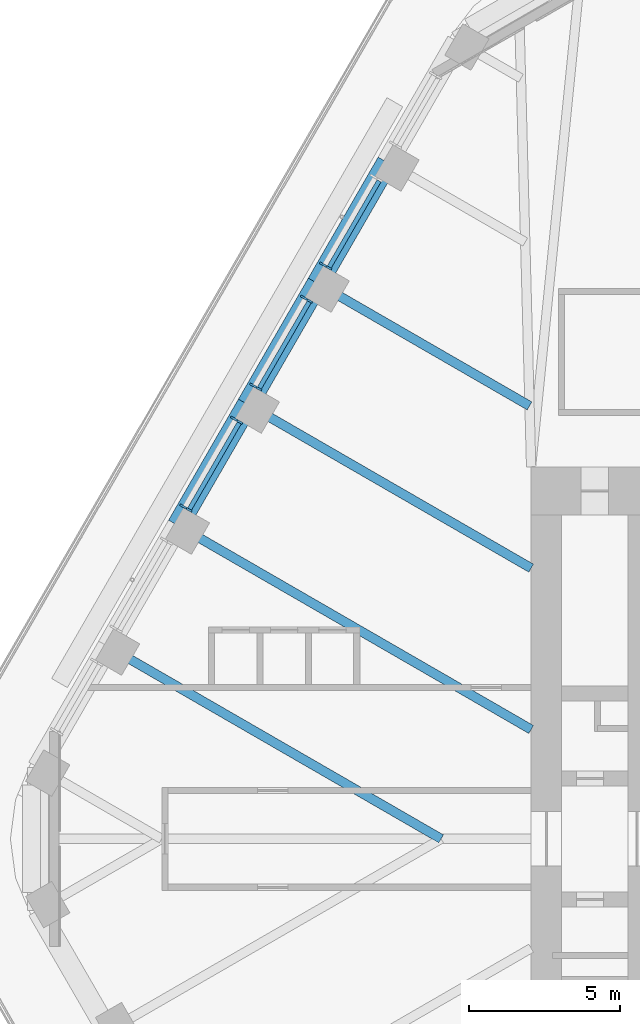
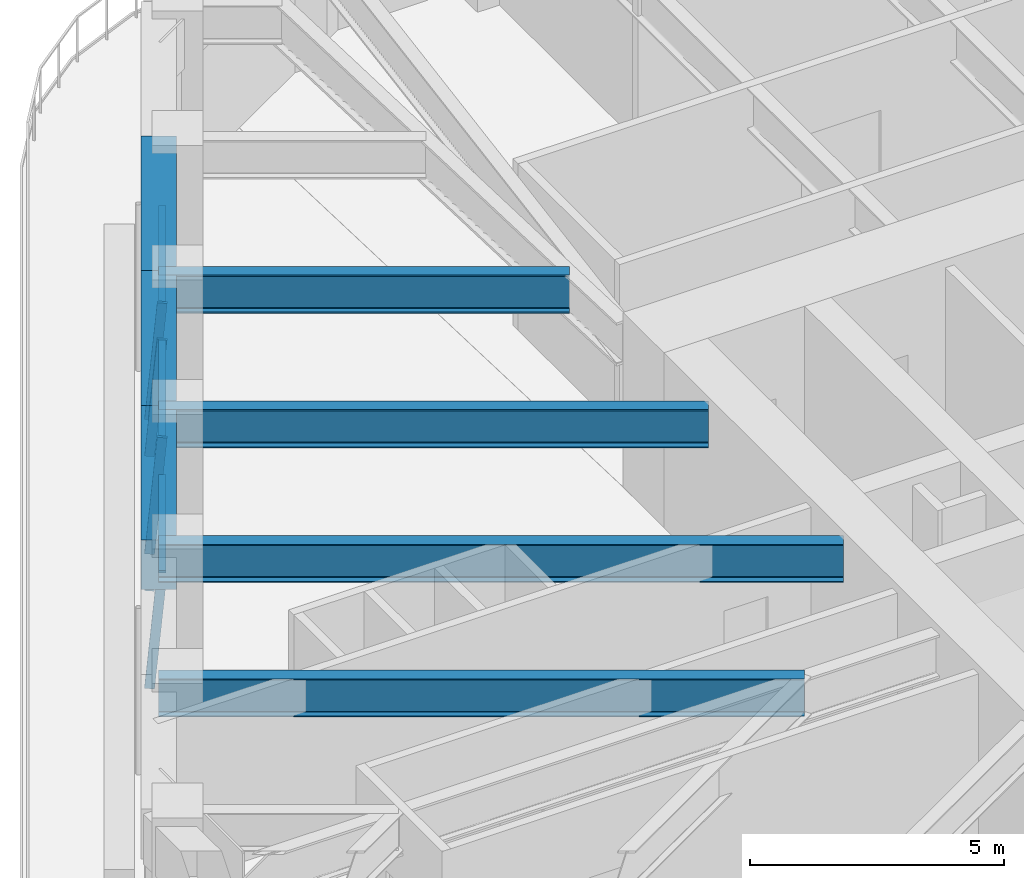
# One storey, part 7 of 20: 8 members, 7 beams, 3 elements without a shape of their own.
"""IFC4 building model written with IfcOpenShell, lengths in metres."""

from ifc_helpers import new_model, si_unit, direction, frame, origin, origin_2d, place, context, subcontext, project, spatial, rectangle, i_section, extrude, material, material_profile, profile_set, type_object, element, aggregate, save


model = new_model("IFC4")

# Units and contexts
model_context = context("Model", 3, precision=1e-05, world=origin(), true_north=direction((0.0, 1.0)))
body_context = subcontext(model_context, "Body", "Model", "MODEL_VIEW")
ifc_project = project(units=[si_unit("LENGTHUNIT", "METRE"), si_unit("AREAUNIT", "SQUARE_METRE"), si_unit("VOLUMEUNIT", "CUBIC_METRE"), si_unit("PLANEANGLEUNIT", "RADIAN"), si_unit("MASSUNIT", "GRAM", prefix="KILO")], contexts=[model_context])

# Site, building, storey
site_placement = place(None, origin())
site = spatial("IfcSite", under=ifc_project, at=site_placement, CompositionType="ELEMENT")
building_placement = place(site_placement, origin())
building = spatial("IfcBuilding", under=site, at=building_placement, Name="Tarfa Lantern Tower", CompositionType="ELEMENT")
storey_placement = place(building_placement, frame((0.0, 0.0, 274.300048828125)))
storey = spatial("IfcBuildingStorey", under=building, at=storey_placement, Name="L62", CompositionType="ELEMENT", Elevation=274.300048828125)

# Curtain wall, member
ifc_material_1 = material(Name="Aluminium framed curtain wall", Category="aluminium")
curtain_wall_type = type_object("IfcCurtainWallType", Name="CW3 CANTED GLAZING HIGH ZONE 2800", PredefinedType="USERDEFINED", material=ifc_material_1)
curtain_wall_1_placement = place(storey_placement, origin())
curtain_wall_1 = element("IfcCurtainWall", 1, at=curtain_wall_1_placement, inside=storey, type_object=curtain_wall_type, Name="CW3 NW L62", ObjectType="CURTAIN WALL", PredefinedType="USERDEFINED")
ifc_material_2 = material(Name="Aluminium mullion", Category="aluminium")
ifc_material_profile_1 = material_profile(ifc_material_2, rectangle(XDim=0.06494140625, YDim=0.199951171875, at=origin_2d()), Name="AL MULLION 65x200")
ifc_profile_set_1 = profile_set([ifc_material_profile_1], Name="Aluminium mullion")
member_type_1 = type_object("IfcMemberType", Name="CWM1 MULLION 65x200", PredefinedType="MULLION", material=ifc_profile_set_1)
member_1_placement = place(storey_placement, frame((-22.402587890625, 18.997802734375, 0.0), z_axis=(0.077032386753, -0.044465143199, 0.996036576854), x_axis=(0.499919672301, 0.866071776036, 0.0)))
member_1 = element("IfcMember", 2, at=member_1_placement, type_object=member_type_1, Name="CW3 mullion 2", PredefinedType="MULLION", context=body_context, shape_type="SweptSolid", body=[
    extrude(rectangle(XDim=0.06494140625, YDim=0.199951171875, at=origin_2d()), origin(), (0.0, 0.0, 1.0), 2.811279296875),
])

# Curtain wall, members
curtain_wall_2_placement = place(storey_placement, origin())
curtain_wall_2 = element("IfcCurtainWall", 3, at=curtain_wall_2_placement, inside=storey, type_object=curtain_wall_type, Name="CW3 NW L62", ObjectType="CURTAIN WALL", PredefinedType="USERDEFINED")
member_2_placement = place(storey_placement, frame((-23.034912109375, 17.90234375, 0.0), z_axis=(0.077032386753, -0.044465143199, 0.996036576854), x_axis=(0.499919672301, 0.866071776036, 0.0)))
member_2 = element("IfcMember", 4, at=member_2_placement, type_object=member_type_1, Name="CW3 mullion 1", PredefinedType="MULLION", context=body_context, shape_type="SweptSolid", body=[
    extrude(rectangle(XDim=0.06494140625, YDim=0.199951171875, at=origin_2d()), origin(), (0.0, 0.0, 1.0), 2.811279296875),
])
member_3_placement = place(storey_placement, frame((-24.7119140625, 14.997802734375, 0.0), z_axis=(0.077032386753, -0.044465143199, 0.996036576854), x_axis=(0.499919672301, 0.866071776036, 0.0)))
member_3 = element("IfcMember", 5, at=member_3_placement, type_object=member_type_1, Name="CW3 mullion 2", PredefinedType="MULLION", context=body_context, shape_type="SweptSolid", body=[
    extrude(rectangle(XDim=0.06494140625, YDim=0.199951171875, at=origin_2d()), origin(), (0.0, 0.0, 1.0), 2.811279296875),
])

curtain_wall_3_placement = place(storey_placement, origin())
curtain_wall_3 = element("IfcCurtainWall", 6, at=curtain_wall_3_placement, inside=storey, type_object=curtain_wall_type, Name="CW3 NW L62", ObjectType="CURTAIN WALL", PredefinedType="USERDEFINED")
member_4_placement = place(storey_placement, frame((-25.344482421875, 13.90234375, 0.0), z_axis=(0.077032386753, -0.044465143199, 0.996036576854), x_axis=(0.499919672301, 0.866071776036, 0.0)))
member_4 = element("IfcMember", 7, at=member_4_placement, type_object=member_type_1, Name="CW3 mullion 1", PredefinedType="MULLION", context=body_context, shape_type="SweptSolid", body=[
    extrude(rectangle(XDim=0.06494140625, YDim=0.199951171875, at=origin_2d()), origin(), (0.0, 0.0, 1.0), 2.811279296875),
])
member_5_placement = place(storey_placement, frame((-27.021240234375, 10.997802734375, 0.0), z_axis=(0.077032386753, -0.044465143199, 0.996036576854), x_axis=(0.499919672301, 0.866071776036, 0.0)))
member_5 = element("IfcMember", 8, at=member_5_placement, type_object=member_type_1, Name="CW3 mullion 2", PredefinedType="MULLION", context=body_context, shape_type="SweptSolid", body=[
    extrude(rectangle(XDim=0.06494140625, YDim=0.199951171875, at=origin_2d()), origin(), (0.0, 0.0, 1.0), 2.811279296875),
])

# Member
ifc_material_3 = material(Name="Aluminium transom", Category="aluminium")
ifc_material_profile_2 = material_profile(ifc_material_3, rectangle(XDim=0.14990234375, YDim=0.06494140625, at=origin_2d()), Name="AL TRANSOM 150x65")
ifc_profile_set_2 = profile_set([ifc_material_profile_2], Name="Aluminium transom")
member_type_2 = type_object("IfcMemberType", Name="CWT1 TRANSOM 150x65", PredefinedType="USERDEFINED", material=ifc_profile_set_2)
member_6_placement = place(storey_placement, frame((-20.52783203125, 21.75048828125, 2.767333984375), z_axis=(-0.499979497339, -0.866037240677, 0.0), x_axis=(0.866037240677, -0.499979497339, 0.0)))
member_6 = element("IfcMember", 9, at=member_6_placement, type_object=member_type_2, Name="CW3 transom 1.2", ObjectType="TRANSOM", PredefinedType="USERDEFINED", context=body_context, shape_type="SweptSolid", body=[
    extrude(rectangle(XDim=0.14990234375, YDim=0.06494140625, at=origin_2d()), origin(), (0.0, 0.0, 1.0), 3.288818359375),
])

aggregate(curtain_wall_1, [member_1, member_6])

member_7_placement = place(storey_placement, frame((-22.837158203125, 17.75048828125, 2.767333984375), z_axis=(-0.500035172766, -0.866005095826, 0.0), x_axis=(0.866005095826, -0.500035172766, 0.0)))
member_7 = element("IfcMember", 10, at=member_7_placement, type_object=member_type_2, Name="CW3 transom 1.2", ObjectType="TRANSOM", PredefinedType="USERDEFINED", context=body_context, shape_type="SweptSolid", body=[
    extrude(rectangle(XDim=0.14990234375, YDim=0.06494140625, at=origin_2d()), origin(), (0.0, 0.0, 1.0), 3.288818359375),
])

aggregate(curtain_wall_2, [member_2, member_3, member_7])

member_8_placement = place(storey_placement, frame((-25.146728515625, 13.75048828125, 2.767333984375), z_axis=(-0.499979497339, -0.866037240677, 0.0), x_axis=(0.866037240677, -0.499979497339, 0.0)))
member_8 = element("IfcMember", 11, at=member_8_placement, type_object=member_type_2, Name="CW3 transom 1.2", ObjectType="TRANSOM", PredefinedType="USERDEFINED", context=body_context, shape_type="SweptSolid", body=[
    extrude(rectangle(XDim=0.14990234375, YDim=0.06494140625, at=origin_2d()), origin(), (0.0, 0.0, 1.0), 3.288818359375),
])

aggregate(curtain_wall_3, [member_4, member_5, member_8])

# Beams
ifc_material_4 = material(Name="Concrete C80/95", Category="concrete")
ifc_material_profile_3 = material_profile(ifc_material_4, rectangle(XDim=0.699951171875, YDim=1.199951171875, at=origin_2d()), Name="RC 700x1200")
ifc_profile_set_3 = profile_set([ifc_material_profile_3], Name="Concrete C80/95")
beam_type_1 = type_object("IfcBeamType", Name="EB3 RC 700x1200", PredefinedType="SPANDREL", material=ifc_profile_set_3)
beam_1_placement = place(storey_placement, frame((-20.25341796875, 22.360107421875, 3.39990234375), z_axis=(-0.499987836815, -0.866032426089, 0.0), x_axis=(0.866032426089, -0.499987836815, 0.0)))
element("IfcBeam", 12, at=beam_1_placement, inside=storey, type_object=beam_type_1, Name="Edge beam NW1", PredefinedType="SPANDREL", context=body_context, shape_type="SweptSolid", body=[
    extrude(rectangle(XDim=0.699951171875, YDim=1.199951171875, at=origin_2d()), origin(), (0.0, 0.0, 1.0), 4.61865234375),
])
beam_2_placement = place(storey_placement, frame((-22.562744140625, 18.360107421875, 3.39990234375), z_axis=(-0.500027479704, -0.866009537788, 0.0), x_axis=(0.866009537788, -0.500027479704, 0.0)))
element("IfcBeam", 13, at=beam_2_placement, inside=storey, type_object=beam_type_1, Name="Edge beam NW2", PredefinedType="SPANDREL", context=body_context, shape_type="SweptSolid", body=[
    extrude(rectangle(XDim=0.699951171875, YDim=1.199951171875, at=origin_2d()), origin(), (0.0, 0.0, 1.0), 4.618896484375),
])
beam_3_placement = place(storey_placement, frame((-24.872314453125, 14.360107421875, 3.39990234375), z_axis=(-0.499987836815, -0.866032426089, 0.0), x_axis=(0.866032426089, -0.499987836815, 0.0)))
element("IfcBeam", 14, at=beam_3_placement, inside=storey, type_object=beam_type_1, Name="Edge beam NW3", PredefinedType="SPANDREL", context=body_context, shape_type="SweptSolid", body=[
    extrude(rectangle(XDim=0.699951171875, YDim=1.199951171875, at=origin_2d()), origin(), (0.0, 0.0, 1.0), 4.61865234375),
])
ifc_material_5 = material(Name="Steel S460M", Category="steel")
ifc_material_profile_4 = material_profile(ifc_material_5, i_section(OverallWidth=0.305419921875, OverallDepth=0.91845703125, WebThickness=0.017333984375, FlangeThickness=0.02783203125, FilletRadius=0.01904296875, at=origin_2d()), Name="UB914x305x253")
ifc_profile_set_4 = profile_set([ifc_material_profile_4], Name="Steel S460M")
beam_type_2 = type_object("IfcBeamType", Name="UB914x305x253", PredefinedType="BEAM", material=ifc_profile_set_4)
beam_4_placement = place(storey_placement, frame((-22.562744140625, 18.360107421875, 3.540771484375), z_axis=(0.866010787764, -0.500025314835, 0.0), x_axis=(0.500025314835, 0.866010787764, 0.0)))
element("IfcBeam", 15, at=beam_4_placement, inside=storey, type_object=beam_type_2, Name="Floor beam NW2", PredefinedType="BEAM", context=body_context, shape_type="SweptSolid", body=[
    extrude(i_section(OverallWidth=0.305419921875, OverallDepth=0.91845703125, WebThickness=0.017333984375, FlangeThickness=0.02783203125, FilletRadius=0.01904296875, at=origin_2d()), origin(), (0.0, 0.0, 1.0), 8.09423828125),
])
beam_5_placement = place(storey_placement, frame((-24.872314453125, 14.360107421875, 3.540771484375), z_axis=(0.8660244219, -0.500001700669, 0.0), x_axis=(0.500001700669, 0.8660244219, 0.0)))
element("IfcBeam", 16, at=beam_5_placement, inside=storey, type_object=beam_type_2, Name="Floor beam NW3", PredefinedType="BEAM", context=body_context, shape_type="SweptSolid", body=[
    extrude(i_section(OverallWidth=0.305419921875, OverallDepth=0.91845703125, WebThickness=0.017333984375, FlangeThickness=0.02783203125, FilletRadius=0.01904296875, at=origin_2d()), origin(), (0.0, 0.0, 1.0), 10.822265625),
])
beam_6_placement = place(storey_placement, frame((-27.181640625, 10.360107421875, 3.540771484375), z_axis=(0.866018002818, -0.500012818631, 0.0), x_axis=(0.500012818631, 0.866018002818, 0.0)))
element("IfcBeam", 17, at=beam_6_placement, inside=storey, type_object=beam_type_2, Name="Floor beam NW4", PredefinedType="BEAM", context=body_context, shape_type="SweptSolid", body=[
    extrude(i_section(OverallWidth=0.305419921875, OverallDepth=0.91845703125, WebThickness=0.017333984375, FlangeThickness=0.02783203125, FilletRadius=0.01904296875, at=origin_2d()), origin(), (0.0, 0.0, 1.0), 13.489013671875),
])
beam_7_placement = place(storey_placement, frame((-29.490966796875, 6.360107421875, 3.540771484375), z_axis=(0.866022258038, -0.500005448553, 0.0), x_axis=(0.500005448553, 0.866022258038, 0.0)))
element("IfcBeam", 18, at=beam_7_placement, inside=storey, type_object=beam_type_2, Name="Floor beam NW5", PredefinedType="BEAM", context=body_context, shape_type="SweptSolid", body=[
    extrude(i_section(OverallWidth=0.305419921875, OverallDepth=0.91845703125, WebThickness=0.017333984375, FlangeThickness=0.02783203125, FilletRadius=0.01904296875, at=origin_2d()), origin(), (0.0, 0.0, 1.0), 12.719970703125),
])

save(model, "model.ifc")
